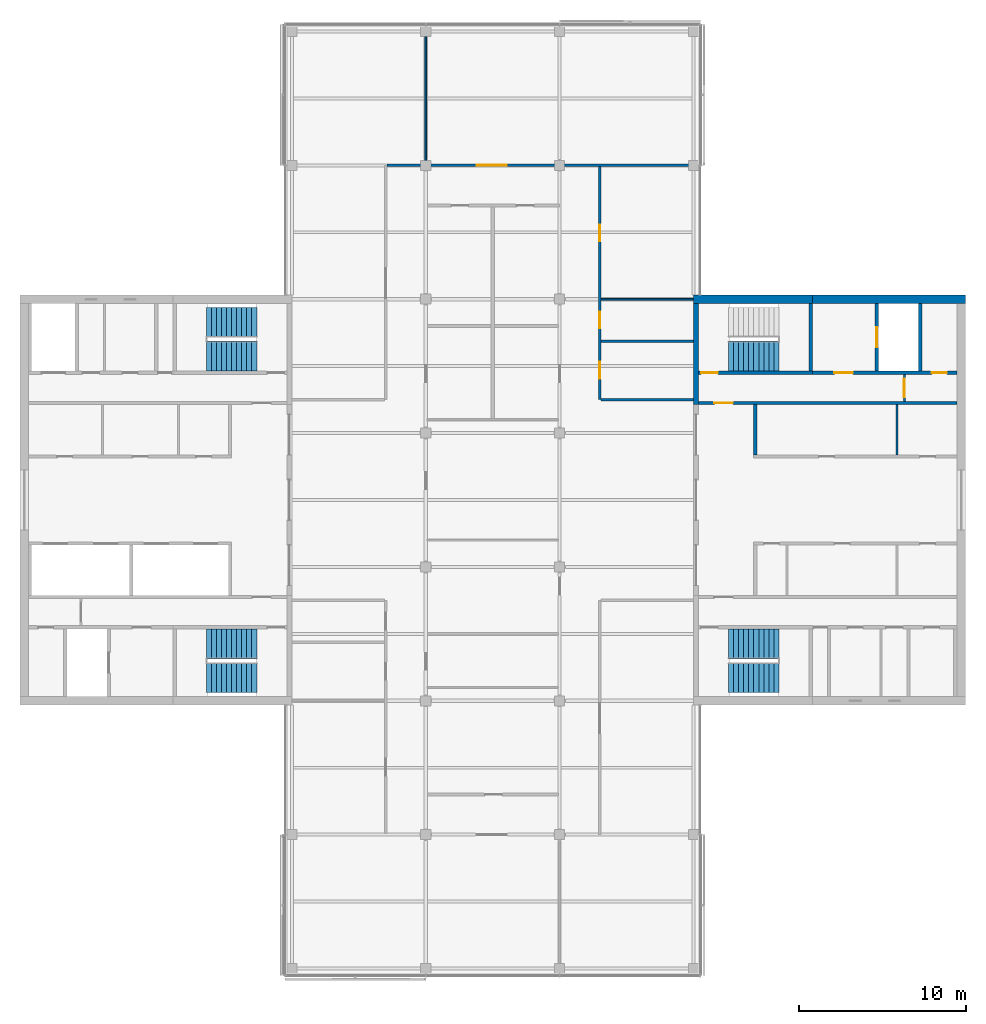
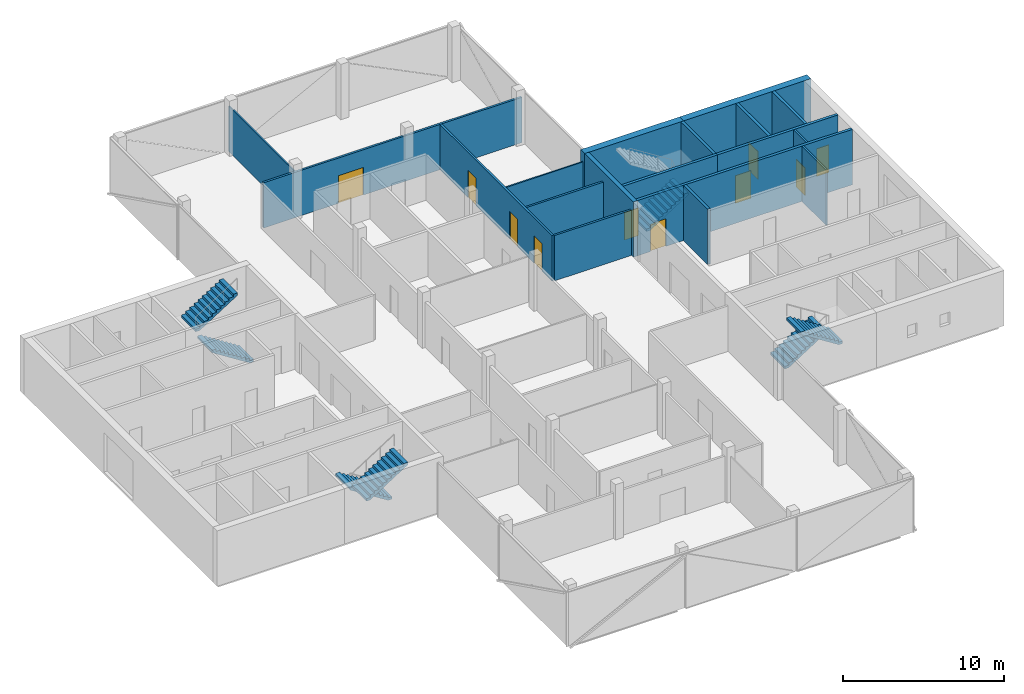
# One storey, part 12 of 16: 18 walls, 10 doors, 7 stair flights, 10 openings, 4 elements without a shape of their own.
"""IFC4 building model written with IfcOpenShell, lengths in metres."""

from ifc_helpers import new_model, si_unit, direction, frame, frame_2d, origin, place, context, subcontext, project, spatial, polyline, rectangle, outline, extrude, material, layer, layer_set, constituent, constituent_set, type_object, element, fill, aggregate, save


model = new_model("IFC4")

# Units and contexts
model_context = context("Model", 3, precision=1e-05, world=origin(), true_north=direction((0.0, 1.0)))
body_context = subcontext(model_context, "Body", "Model", "MODEL_VIEW")
ifc_project = project(units=[si_unit("LENGTHUNIT", "METRE"), si_unit("AREAUNIT", "SQUARE_METRE"), si_unit("VOLUMEUNIT", "CUBIC_METRE"), si_unit("PLANEANGLEUNIT", "RADIAN"), si_unit("MASSUNIT", "GRAM", prefix="KILO")], contexts=[model_context])

# Site, building, storey
site_placement = place(None, origin())
site = spatial("IfcSite", under=ifc_project, at=site_placement, CompositionType="ELEMENT")
building_placement = place(site_placement, origin())
building = spatial("IfcBuilding", under=site, at=building_placement, Name="Crosswind Convention Tower", CompositionType="ELEMENT")
storey_placement = place(building_placement, frame((0.0, 0.0, 295.5)))
storey = spatial("IfcBuildingStorey", under=building, at=storey_placement, Name="L64", CompositionType="ELEMENT", Elevation=295.5)

# Walls
ifc_material_1 = material(Name="Concrete C50/60", Category="concrete")
ifc_layer_1 = layer(ifc_material_1, 0.300048828125)
ifc_layer_set_1 = layer_set([ifc_layer_1], Name="Concrete C50/60")
wall_type_1 = type_object("IfcWallType", Name="Concrete inner core wall 300", PredefinedType="SHEAR", material=ifc_layer_set_1)
wall_1_placement = place(storey_placement, frame((137.14990234375, 105.699951171875, 0.0), z_axis=(0.0, 0.0, 1.0), x_axis=(0.0, 1.0, 0.0)))
element("IfcWall", 1, at=wall_1_placement, inside=storey, type_object=wall_type_1, Name="Wall EP E L64", PredefinedType="SHEAR", context=body_context, shape_type="SweptSolid", body=[
    extrude(rectangle(XDim=6.050048828125, YDim=0.300048828125, at=frame_2d((3.02490234375, 0.0))), origin(), (0.0, 0.0, 1.0), 4.199951171875),
])
ifc_layer_2 = layer(ifc_material_1, 0.199951171875)
ifc_layer_set_2 = layer_set([ifc_layer_2], Name="Concrete C50/60")
wall_type_2 = type_object("IfcWallType", Name="Concrete shaft and stair wall 200", PredefinedType="SHEAR", material=ifc_layer_set_2)
wall_2_placement = place(storey_placement, frame((140.699951171875, 102.699951171875, 0.0), z_axis=(0.0, 0.0, 1.0), x_axis=(0.0, 1.0, 0.0)))
element("IfcWall", 2, at=wall_2_placement, inside=storey, type_object=wall_type_2, Name="Wall RPEND E L64", PredefinedType="SHEAR", context=body_context, shape_type="SweptSolid", body=[
    extrude(rectangle(XDim=3.0, YDim=0.199951171875, at=frame_2d((1.5, 0.0))), origin(), (0.0, 0.0, 1.0), 4.199951171875),
])

# Wall, opening, door
wall_3_placement = place(storey_placement, frame((137.300048828125, 105.800048828125, 0.0), z_axis=(0.0, 0.0, 1.0), x_axis=(1.0, 0.0, 0.0)))
wall_3 = element("IfcWall", 3, at=wall_3_placement, inside=storey, type_object=wall_type_2, Name="Wall HP E L64", PredefinedType="SHEAR", context=body_context, shape_type="SweptSolid", body=[
    extrude(rectangle(XDim=15.449951171875, YDim=0.199951171875, at=frame_2d((7.72509765625, 0.0))), origin(), (0.0, 0.0, 1.0), 4.199951171875),
])
opening_1_placement = place(wall_3_placement, frame((0.949951171875, 0.0, 0.0)))
opening_1 = element("IfcOpeningElement", 4, at=opening_1_placement, cuts=wall_3, Name="Opening D104", PredefinedType="OPENING", context=body_context, shape_type="SweptSolid", body=[
    extrude(rectangle(XDim=1.10009765625, YDim=2.10009765625, at=frame_2d((0.550048828125, 1.050048828125))), frame((0.0, 0.10986328125, 0.0), z_axis=(0.0, -1.0, 0.0), x_axis=(1.0, 0.0, 0.0)), (0.0, 0.0, 1.0), 0.219970703125),
])
ifc_material_2 = material(Name="Steel fire door", Category="steel")
door_type_1 = type_object("IfcDoorType", Name="Fire-rated single door 1100x2100", OperationType="NOTDEFINED", PredefinedType="DOOR", material=ifc_material_2)
door_1_placement = place(opening_1_placement, origin())
door_1 = element("IfcDoor", 5, at=door_1_placement, inside=storey, type_object=door_type_1, Name="Corridor door L64", ObjectType="D104", OperationType="SINGLE_SWING_LEFT", OverallHeight=2.10009765625, OverallWidth=1.10009765625, PredefinedType="DOOR", context=body_context, shape_type="SweptSolid", body=[
    extrude(rectangle(XDim=1.10009765625, YDim=2.10009765625, at=frame_2d((0.550048828125, 1.050048828125))), frame((0.0, 0.02490234375, 0.0), z_axis=(0.0, -1.0, 0.0), x_axis=(1.0, 0.0, 0.0)), (0.0, 0.0, 1.0), 0.050048828125),
])
fill(opening_1, door_1)

# Wall
wall_4_placement = place(storey_placement, frame((144.0, 107.699951171875, 0.0), z_axis=(0.0, 0.0, 1.0), x_axis=(0.0, 1.0, 0.0)))
element("IfcWall", 6, at=wall_4_placement, inside=storey, type_object=wall_type_2, Name="Wall PSE E L64", PredefinedType="SHEAR", context=body_context, shape_type="SweptSolid", body=[
    extrude(rectangle(XDim=4.050048828125, YDim=0.199951171875, at=frame_2d((2.02490234375, 0.0))), origin(), (0.0, 0.0, 1.0), 4.199951171875),
])

# Wall, opening, door
wall_5_placement = place(storey_placement, frame((147.949951171875, 107.699951171875, 0.0), z_axis=(0.0, 0.0, 1.0), x_axis=(0.0, 1.0, 0.0)))
wall_5 = element("IfcWall", 7, at=wall_5_placement, inside=storey, type_object=wall_type_2, Name="Wall PFLW E L64", PredefinedType="SHEAR", context=body_context, shape_type="SweptSolid", body=[
    extrude(rectangle(XDim=4.050048828125, YDim=0.199951171875, at=frame_2d((2.02490234375, 0.0))), origin(), (0.0, 0.0, 1.0), 4.199951171875),
])
opening_2_placement = place(wall_5_placement, frame((1.425048828125, 0.0, 0.0)))
opening_2 = element("IfcOpeningElement", 8, at=opening_2_placement, cuts=wall_5, Name="Opening LD1", PredefinedType="OPENING", context=body_context, shape_type="SweptSolid", body=[
    extrude(rectangle(XDim=1.199951171875, YDim=2.10009765625, at=frame_2d((0.60009765625, 1.050048828125))), frame((0.0, 0.10986328125, 0.0), z_axis=(0.0, -1.0, 0.0), x_axis=(1.0, 0.0, 0.0)), (0.0, 0.0, 1.0), 0.219970703125),
])
ifc_material_3 = material(Name="Stainless steel", Category="steel")
door_type_2 = type_object("IfcDoorType", Name="Lift landing door 1200x2100", OperationType="DOUBLE_DOOR_SLIDING", PredefinedType="DOOR", material=ifc_material_3)
door_2_placement = place(opening_2_placement, origin())
door_2 = element("IfcDoor", 9, at=door_2_placement, inside=storey, type_object=door_type_2, Name="Landing door FF1 L64", ObjectType="LD1", OperationType="DOUBLE_DOOR_SLIDING", OverallHeight=2.10009765625, OverallWidth=1.199951171875, PredefinedType="DOOR", context=body_context, shape_type="SweptSolid", body=[
    extrude(rectangle(XDim=1.199951171875, YDim=2.10009765625, at=frame_2d((0.60009765625, 1.050048828125))), frame((0.0, 0.02490234375, 0.0), z_axis=(0.0, -1.0, 0.0), x_axis=(1.0, 0.0, 0.0)), (0.0, 0.0, 1.0), 0.050048828125),
])
fill(opening_2, door_2)

# Wall
wall_6_placement = place(storey_placement, frame((150.550048828125, 107.699951171875, 0.0), z_axis=(0.0, 0.0, 1.0), x_axis=(0.0, 1.0, 0.0)))
element("IfcWall", 10, at=wall_6_placement, inside=storey, type_object=wall_type_2, Name="Wall PFSE E L64", PredefinedType="SHEAR", context=body_context, shape_type="SweptSolid", body=[
    extrude(rectangle(XDim=4.050048828125, YDim=0.199951171875, at=frame_2d((2.02490234375, 0.0))), origin(), (0.0, 0.0, 1.0), 4.199951171875),
])

# Wall, opening, door
wall_7_placement = place(storey_placement, frame((137.300048828125, 107.60009765625, 0.0), z_axis=(0.0, 0.0, 1.0), x_axis=(1.0, 0.0, 0.0)))
wall_7 = element("IfcWall", 11, at=wall_7_placement, inside=storey, type_object=wall_type_2, Name="Wall PCW E L64", PredefinedType="SHEAR", context=body_context, shape_type="SweptSolid", body=[
    extrude(rectangle(XDim=6.800048828125, YDim=0.199951171875, at=frame_2d((3.39990234375, 0.0))), origin(), (0.0, 0.0, 1.0), 4.199951171875),
])
opening_3_placement = place(wall_7_placement, frame((0.14990234375, 0.0, 0.0)))
opening_3 = element("IfcOpeningElement", 12, at=opening_3_placement, cuts=wall_7, Name="Opening D103", PredefinedType="OPENING", context=body_context, shape_type="SweptSolid", body=[
    extrude(rectangle(XDim=1.0, YDim=2.10009765625, at=frame_2d((0.5, 1.050048828125))), frame((0.0, 0.10986328125, 0.0), z_axis=(0.0, -1.0, 0.0), x_axis=(1.0, 0.0, 0.0)), (0.0, 0.0, 1.0), 0.219970703125),
])
door_type_3 = type_object("IfcDoorType", Name="Fire-rated single door 1000x2100", OperationType="NOTDEFINED", PredefinedType="DOOR", material=ifc_material_2)
door_3_placement = place(opening_3_placement, origin())
door_3 = element("IfcDoor", 13, at=door_3_placement, inside=storey, type_object=door_type_3, Name="Stair ST1 door L64", ObjectType="D103", OperationType="SINGLE_SWING_LEFT", OverallHeight=2.10009765625, OverallWidth=1.0, PredefinedType="DOOR", context=body_context, shape_type="SweptSolid", body=[
    extrude(rectangle(XDim=1.0, YDim=2.10009765625, at=frame_2d((0.5, 1.050048828125))), frame((0.0, 0.02490234375, 0.0), z_axis=(0.0, -1.0, 0.0), x_axis=(1.0, 0.0, 0.0)), (0.0, 0.0, 1.0), 0.050048828125),
])
fill(opening_3, door_3)

# Wall, openings, doors
wall_8_placement = place(storey_placement, frame((144.10009765625, 107.60009765625, 0.0), z_axis=(0.0, 0.0, 1.0), x_axis=(1.0, 0.0, 0.0)))
wall_8 = element("IfcWall", 14, at=wall_8_placement, inside=storey, type_object=wall_type_2, Name="Wall PCX E L64", PredefinedType="SHEAR", context=body_context, shape_type="SweptSolid", body=[
    extrude(rectangle(XDim=8.64990234375, YDim=0.199951171875, at=frame_2d((4.324951171875, 0.0))), origin(), (0.0, 0.0, 1.0), 4.199951171875),
])
opening_4_placement = place(wall_8_placement, frame((1.324951171875, 0.0, 0.0)))
opening_4 = element("IfcOpeningElement", 15, at=opening_4_placement, cuts=wall_8, Name="Opening D104", PredefinedType="OPENING", context=body_context, shape_type="SweptSolid", body=[
    extrude(rectangle(XDim=1.10009765625, YDim=2.10009765625, at=frame_2d((0.550048828125, 1.050048828125))), frame((0.0, 0.10986328125, 0.0), z_axis=(0.0, -1.0, 0.0), x_axis=(1.0, 0.0, 0.0)), (0.0, 0.0, 1.0), 0.219970703125),
])
opening_5_placement = place(wall_8_placement, frame((7.14990234375, 0.0, 0.0)))
opening_5 = element("IfcOpeningElement", 16, at=opening_5_placement, cuts=wall_8, Name="Opening D106", PredefinedType="OPENING", context=body_context, shape_type="SweptSolid", body=[
    extrude(rectangle(XDim=0.89990234375, YDim=2.10009765625, at=frame_2d((0.449951171875, 1.050048828125))), frame((0.0, 0.10986328125, 0.0), z_axis=(0.0, -1.0, 0.0), x_axis=(1.0, 0.0, 0.0)), (0.0, 0.0, 1.0), 0.219970703125),
])
door_4_placement = place(opening_4_placement, origin())
door_4 = element("IfcDoor", 17, at=door_4_placement, inside=storey, type_object=door_type_1, Name="Fire-fighting lobby FF1 door L64", ObjectType="D104", OperationType="SINGLE_SWING_RIGHT", OverallHeight=2.10009765625, OverallWidth=1.10009765625, PredefinedType="DOOR", context=body_context, shape_type="SweptSolid", body=[
    extrude(rectangle(XDim=1.10009765625, YDim=2.10009765625, at=frame_2d((0.550048828125, 1.050048828125))), frame((0.0, 0.02490234375, 0.0), z_axis=(0.0, -1.0, 0.0), x_axis=(1.0, 0.0, 0.0)), (0.0, 0.0, 1.0), 0.050048828125),
])
fill(opening_4, door_4)
ifc_material_4 = material(Name="Timber door", Category="wood")
door_type_4 = type_object("IfcDoorType", Name="Single leaf door 900x2100", OperationType="NOTDEFINED", PredefinedType="DOOR", material=ifc_material_4)
door_5_placement = place(opening_5_placement, origin())
door_5 = element("IfcDoor", 18, at=door_5_placement, inside=storey, type_object=door_type_4, Name="Door to telecoms room L64", ObjectType="D106", OperationType="SINGLE_SWING_RIGHT", OverallHeight=2.10009765625, OverallWidth=0.89990234375, PredefinedType="DOOR", context=body_context, shape_type="SweptSolid", body=[
    extrude(rectangle(XDim=0.89990234375, YDim=2.10009765625, at=frame_2d((0.449951171875, 1.050048828125))), frame((0.0, 0.02490234375, 0.0), z_axis=(0.0, -1.0, 0.0), x_axis=(1.0, 0.0, 0.0)), (0.0, 0.0, 1.0), 0.050048828125),
])
fill(opening_5, door_5)

# Wall
ifc_material_5 = material(Name="Gypsum plasterboard partition", Category="gypsum")
ifc_layer_3 = layer(ifc_material_5, 0.125)
ifc_layer_set_3 = layer_set([ifc_layer_3], Name="Drywall partition wall 125")
wall_type_3 = type_object("IfcWallType", Name="Drywall partition wall 125", PredefinedType="PARTITIONING", material=ifc_layer_set_3)
wall_9_placement = place(storey_placement, frame((149.1650390625, 102.699951171875, 0.0), z_axis=(0.0, 0.0, 1.0), x_axis=(0.0, 1.0, 0.0)))
element("IfcWall", 19, at=wall_9_placement, inside=storey, type_object=wall_type_3, Name="Wall RPP1 E L64", PredefinedType="PARTITIONING", context=body_context, shape_type="SweptSolid", body=[
    extrude(rectangle(XDim=3.0, YDim=0.125, at=frame_2d((1.5, 0.0))), origin(), (0.0, 0.0, 1.0), 4.199951171875),
])

# Wall, opening, door
wall_10_placement = place(storey_placement, frame((149.60009765625, 105.89990234375, 0.0), z_axis=(0.0, 0.0, 1.0), x_axis=(0.0, 1.0, 0.0)))
wall_10 = element("IfcWall", 20, at=wall_10_placement, inside=storey, type_object=wall_type_3, Name="Wall PXC1 E L64", PredefinedType="PARTITIONING", context=body_context, shape_type="SweptSolid", body=[
    extrude(rectangle(XDim=1.60009765625, YDim=0.125, at=frame_2d((0.800048828125, 0.0))), origin(), (0.0, 0.0, 1.0), 4.199951171875),
])
opening_6_placement = place(wall_10_placement, frame((0.25, 0.0, 0.0)))
opening_6 = element("IfcOpeningElement", 21, at=opening_6_placement, cuts=wall_10, Name="Opening D104", PredefinedType="OPENING", context=body_context, shape_type="SweptSolid", body=[
    extrude(rectangle(XDim=1.10009765625, YDim=2.10009765625, at=frame_2d((0.550048828125, 1.050048828125))), frame((0.0, 0.072509765625, 0.0), z_axis=(0.0, -1.0, 0.0), x_axis=(1.0, 0.0, 0.0)), (0.0, 0.0, 1.0), 0.14501953125),
])
door_6_placement = place(opening_6_placement, origin())
door_6 = element("IfcDoor", 22, at=door_6_placement, inside=storey, type_object=door_type_1, Name="Corridor smoke door L64", ObjectType="D104", OperationType="SINGLE_SWING_RIGHT", OverallHeight=2.10009765625, OverallWidth=1.10009765625, PredefinedType="DOOR", context=body_context, shape_type="SweptSolid", body=[
    extrude(rectangle(XDim=1.10009765625, YDim=2.10009765625, at=frame_2d((0.550048828125, 1.050048828125))), frame((0.0, 0.02490234375, 0.0), z_axis=(0.0, -1.0, 0.0), x_axis=(1.0, 0.0, 0.0)), (0.0, 0.0, 1.0), 0.050048828125),
])
fill(opening_6, door_6)

# Walls
ifc_material_6 = material(Name="Plasterboard partition", Category="gypsum")
ifc_layer_4 = layer(ifc_material_6, 0.10009765625)
ifc_layer_set_4 = layer_set([ifc_layer_4], Name="PARTITION 100 METAL STUD")
wall_type_4 = type_object("IfcWallType", Name="PARTITION 100 METAL STUD", PredefinedType="PARTITIONING", material=ifc_layer_set_4)
wall_11_placement = place(storey_placement, frame((121.0, 120.074951171875, 0.0), z_axis=(0.0, 0.0, 1.0), x_axis=(0.0, 1.0, 0.0)))
element("IfcWall", 23, at=wall_11_placement, inside=storey, type_object=wall_type_4, Name="Partition wall WT40", PredefinedType="PARTITIONING", context=body_context, shape_type="SweptSolid", body=[
    extrude(rectangle(XDim=8.14501953125, YDim=0.10009765625, at=frame_2d((4.072509765625, 0.0))), origin(), (0.0, 0.0, 1.0), 3.44287109375),
])
wall_12_placement = place(storey_placement, frame((131.47509765625, 112.0, 0.0), z_axis=(0.0, 0.0, 1.0), x_axis=(1.0, 0.0, 0.0)))
element("IfcWall", 24, at=wall_12_placement, inside=storey, type_object=wall_type_4, Name="Partition wall WT40", PredefinedType="PARTITIONING", context=body_context, shape_type="SweptSolid", body=[
    extrude(rectangle(XDim=5.52490234375, YDim=0.10009765625, at=frame_2d((2.762451171875, 0.0))), origin(), (0.0, 0.0, 1.0), 3.44287109375),
])

# Wall, openings, doors
ifc_material_7 = material(Name="Fire-board partition with mineral wool", Category="gypsum")
ifc_layer_5 = layer(ifc_material_7, 0.14990234375)
ifc_layer_set_5 = layer_set([ifc_layer_5], Name="TENANCY WALL 150 TWO-HOUR BOARD")
wall_type_5 = type_object("IfcWallType", Name="TENANCY WALL 150 TWO-HOUR BOARD", PredefinedType="PARTITIONING", material=ifc_layer_set_5)
wall_13_placement = place(storey_placement, frame((131.39990234375, 106.0, 0.0), z_axis=(0.0, 0.0, 1.0), x_axis=(0.0, 1.0, 0.0)))
wall_13 = element("IfcWall", 25, at=wall_13_placement, inside=storey, type_object=wall_type_5, Name="Tenancy wall WT41", PredefinedType="PARTITIONING", context=body_context, shape_type="SweptSolid", body=[
    extrude(rectangle(XDim=13.925048828125, YDim=0.14990234375, at=frame_2d((6.96240234375, 0.0))), origin(), (0.0, 0.0, 1.0), 3.44287109375),
])
opening_7_placement = place(wall_13_placement, frame((1.25, 0.0, 0.0)))
opening_7 = element("IfcOpeningElement", 26, at=opening_7_placement, cuts=wall_13, Name="Opening L64-50", PredefinedType="OPENING", context=body_context, shape_type="SweptSolid", body=[
    extrude(rectangle(XDim=1.0, YDim=2.10009765625, at=frame_2d((0.5, 1.050048828125))), frame((0.0, 0.0849609375, 0.0), z_axis=(0.0, -1.0, 0.0), x_axis=(1.0, 0.0, 0.0)), (0.0, 0.0, 1.0), 0.169921875),
])
opening_8_placement = place(wall_13_placement, frame((4.25, 0.0, 0.0)))
opening_8 = element("IfcOpeningElement", 27, at=opening_8_placement, cuts=wall_13, Name="Opening L64-51", PredefinedType="OPENING", context=body_context, shape_type="SweptSolid", body=[
    extrude(rectangle(XDim=1.0, YDim=2.10009765625, at=frame_2d((0.5, 1.050048828125))), frame((0.0, 0.0849609375, 0.0), z_axis=(0.0, -1.0, 0.0), x_axis=(1.0, 0.0, 0.0)), (0.0, 0.0, 1.0), 0.169921875),
])
opening_9_placement = place(wall_13_placement, frame((9.449951171875, 0.0, 0.0)))
opening_9 = element("IfcOpeningElement", 28, at=opening_9_placement, cuts=wall_13, Name="Opening L64-52", PredefinedType="OPENING", context=body_context, shape_type="SweptSolid", body=[
    extrude(rectangle(XDim=1.0, YDim=2.10009765625, at=frame_2d((0.5, 1.050048828125))), frame((0.0, 0.0849609375, 0.0), z_axis=(0.0, -1.0, 0.0), x_axis=(1.0, 0.0, 0.0)), (0.0, 0.0, 1.0), 0.169921875),
])
ifc_material_8 = material(Name="Timber fire door", Category="wood")
door_type_5 = type_object("IfcDoorType", Name="TENANCY ENTRANCE DOOR 1000X2100 FD30S", OperationType="NOTDEFINED", PredefinedType="DOOR", material=ifc_material_8)
door_7_placement = place(opening_7_placement, frame((1.0, 0.0, 0.0), z_axis=(0.0, 0.0, 1.0), x_axis=(-1.0, 0.0, 0.0)))
door_7 = element("IfcDoor", 29, at=door_7_placement, inside=storey, type_object=door_type_5, Name="Door L64-50", ObjectType="D41", OperationType="SINGLE_SWING_LEFT", OverallHeight=2.10009765625, OverallWidth=1.0, PredefinedType="DOOR", context=body_context, shape_type="SweptSolid", body=[
    extrude(rectangle(XDim=1.0, YDim=2.10009765625, at=frame_2d((0.5, 1.050048828125))), frame((0.0, 0.02490234375, 0.0), z_axis=(0.0, -1.0, 0.0), x_axis=(1.0, 0.0, 0.0)), (0.0, 0.0, 1.0), 0.050048828125),
])
fill(opening_7, door_7)
door_8_placement = place(opening_8_placement, frame((1.0, 0.0, 0.0), z_axis=(0.0, 0.0, 1.0), x_axis=(-1.0, 0.0, 0.0)))
door_8 = element("IfcDoor", 30, at=door_8_placement, inside=storey, type_object=door_type_5, Name="Door L64-51", ObjectType="D41", OperationType="SINGLE_SWING_LEFT", OverallHeight=2.10009765625, OverallWidth=1.0, PredefinedType="DOOR", context=body_context, shape_type="SweptSolid", body=[
    extrude(rectangle(XDim=1.0, YDim=2.10009765625, at=frame_2d((0.5, 1.050048828125))), frame((0.0, 0.02490234375, 0.0), z_axis=(0.0, -1.0, 0.0), x_axis=(1.0, 0.0, 0.0)), (0.0, 0.0, 1.0), 0.050048828125),
])
fill(opening_8, door_8)
door_9_placement = place(opening_9_placement, frame((1.0, 0.0, 0.0), z_axis=(0.0, 0.0, 1.0), x_axis=(-1.0, 0.0, 0.0)))
door_9 = element("IfcDoor", 31, at=door_9_placement, inside=storey, type_object=door_type_5, Name="Door L64-52", ObjectType="D41", OperationType="SINGLE_SWING_RIGHT", OverallHeight=2.10009765625, OverallWidth=1.0, PredefinedType="DOOR", context=body_context, shape_type="SweptSolid", body=[
    extrude(rectangle(XDim=1.0, YDim=2.10009765625, at=frame_2d((0.5, 1.050048828125))), frame((0.0, 0.02490234375, 0.0), z_axis=(0.0, -1.0, 0.0), x_axis=(1.0, 0.0, 0.0)), (0.0, 0.0, 1.0), 0.050048828125),
])
fill(opening_9, door_9)

# Walls
for number, where, z_axis, x_axis, name in (
    (32, (131.47509765625, 106.0, 0.0), (0.0, 0.0, 1.0), (1.0, 0.0, 0.0), "Tenancy wall WT41"),
    (33, (131.47509765625, 109.5, 0.0), (0.0, 0.0, 1.0), (1.0, 0.0, 0.0), "Tenancy wall WT41"),
):
    element("IfcWall", number, at=place(storey_placement, frame(where, z_axis=z_axis, x_axis=x_axis)), inside=storey, type_object=wall_type_5, Name=name, PredefinedType="PARTITIONING", context=body_context, shape_type="SweptSolid", body=[
        extrude(rectangle(XDim=5.52490234375, YDim=0.14990234375, at=frame_2d((2.762451171875, 0.0))), origin(), (0.0, 0.0, 1.0), 3.44287109375),
    ])

# Wall, opening, door
wall_14_placement = place(storey_placement, frame((118.675048828125, 120.0, 0.0), z_axis=(0.0, 0.0, 1.0), x_axis=(1.0, 0.0, 0.0)))
wall_14 = element("IfcWall", 34, at=wall_14_placement, inside=storey, type_object=wall_type_5, Name="Tenancy wall WT41", PredefinedType="PARTITIONING", context=body_context, shape_type="SweptSolid", body=[
    extrude(rectangle(XDim=18.544921875, YDim=0.14990234375, at=frame_2d((9.2724609375, 0.0))), origin(), (0.0, 0.0, 1.0), 3.44287109375),
])
opening_10_placement = place(wall_14_placement, frame((5.375, 0.0, 0.0)))
opening_10 = element("IfcOpeningElement", 35, at=opening_10_placement, cuts=wall_14, Name="Opening L64-58", PredefinedType="OPENING", context=body_context, shape_type="SweptSolid", body=[
    extrude(rectangle(XDim=1.800048828125, YDim=2.10009765625, at=frame_2d((0.89990234375, 1.050048828125))), frame((0.0, 0.0849609375, 0.0), z_axis=(0.0, -1.0, 0.0), x_axis=(1.0, 0.0, 0.0)), (0.0, 0.0, 1.0), 0.169921875),
])
door_type_6 = type_object("IfcDoorType", Name="TENANCY ENTRANCE DOUBLE DOOR 1800X2100 FD30S", OperationType="DOUBLE_DOOR_SINGLE_SWING", PredefinedType="DOOR", material=ifc_material_8)
door_10_placement = place(opening_10_placement, origin())
door_10 = element("IfcDoor", 36, at=door_10_placement, inside=storey, type_object=door_type_6, Name="Door L64-58", ObjectType="D42", OperationType="DOUBLE_DOOR_SINGLE_SWING", OverallHeight=2.10009765625, OverallWidth=1.800048828125, PredefinedType="DOOR", context=body_context, shape_type="SweptSolid", body=[
    extrude(rectangle(XDim=1.800048828125, YDim=2.10009765625, at=frame_2d((0.89990234375, 1.050048828125))), frame((0.0, 0.02490234375, 0.0), z_axis=(0.0, -1.0, 0.0), x_axis=(1.0, 0.0, 0.0)), (0.0, 0.0, 1.0), 0.050048828125),
])
fill(opening_10, door_10)

# Walls
ifc_material_9 = material(Name="Concrete C60/75", Category="concrete")
ifc_constituent_1 = constituent(ifc_material_9, Name="Structure")
ifc_material_10 = material(Name="Terracotta rainscreen", Category="ceramic")
ifc_constituent_2 = constituent(ifc_material_10, Name="Facing")
ifc_constituent_set = constituent_set(constituents=[ifc_constituent_1, ifc_constituent_2], Name="Concrete C60/75, Terracotta rainscreen")
wall_type_6 = type_object("IfcWallType", Name="Terracotta rainscreen on concrete core wall 500", PredefinedType="SHEAR", material=ifc_constituent_set)
wall_15_placement = place(storey_placement, frame((137.0, 112.0, 0.0), z_axis=(0.0, 0.0, 1.0), x_axis=(1.0, 0.0, 0.0)))
element("IfcWall", 37, at=wall_15_placement, inside=storey, type_object=wall_type_6, Name="Wall N1 E L64", PredefinedType="SHEAR", context=body_context, shape_type="SweptSolid", body=[
    extrude(rectangle(XDim=7.10009765625, YDim=0.5, at=frame_2d((3.550048828125, 0.0))), origin(), (0.0, 0.0, 1.0), 4.199951171875),
])
wall_16_placement = place(storey_placement, frame((144.10009765625, 112.0, 0.0), z_axis=(0.0, 0.0, 1.0), x_axis=(1.0, 0.0, 0.0)))
element("IfcWall", 38, at=wall_16_placement, inside=storey, type_object=wall_type_6, Name="Wall N2 E L64", PredefinedType="SHEAR", context=body_context, shape_type="SweptSolid", body=[
    extrude(rectangle(XDim=9.14990234375, YDim=0.5, at=frame_2d((4.574951171875, 0.0))), origin(), (0.0, 0.0, 1.0), 4.199951171875),
])

# Stair, stair flight
ifc_material_11 = material(Name="Concrete C40/50", Category="concrete")
stair_type = type_object("IfcStairType", Name="Exit stair 1800 wide, 2 flights of 11 risers", PredefinedType="HALF_TURN_STAIR", material=ifc_material_11)
stair_1_placement = place(storey_placement, origin())
stair_1 = element("IfcStair", 39, at=stair_1_placement, inside=storey, type_object=stair_type, Name="Exit stair ST1 L64", ObjectType="ST5", PredefinedType="HALF_TURN_STAIR")
stair_flight_type = type_object("IfcStairFlightType", Name="Stair flight 1800 wide, 11 risers (SF4)", PredefinedType="STRAIGHT", material=ifc_material_11)
stair_flight_1_placement = place(storey_placement, frame((139.10009765625, 108.60009765625, 0.0), z_axis=(0.0, 0.0, 1.0), x_axis=(1.0, 0.0, 0.0)))
stair_flight_1 = element("IfcStairFlight", 40, at=stair_flight_1_placement, type_object=stair_flight_type, Name="ST1 flight 1", NumberOfRisers=11, NumberOfTreads=10, PredefinedType="STRAIGHT", RiserHeight=0.190909091, TreadLength=0.3, context=body_context, shape_type="SweptSolid", body=[
    extrude(outline(polyline([(0.0, 0.0), (0.0, 0.19091796875), (0.300048828125, 0.19091796875), (0.300048828125, 0.3818359375), (0.60009765625, 0.3818359375), (0.60009765625, 0.57275390625), (0.89990234375, 0.57275390625), (0.89990234375, 0.763671875), (1.199951171875, 0.763671875), (1.199951171875, 0.95458984375), (1.5, 0.95458984375), (1.5, 1.1455078125), (1.800048828125, 1.1455078125), (1.800048828125, 1.33642578125), (2.10009765625, 1.33642578125), (2.10009765625, 1.52734375), (2.39990234375, 1.52734375), (2.39990234375, 1.71826171875), (2.699951171875, 1.71826171875), (2.699951171875, 1.9091796875), (3.0, 1.9091796875), (3.0, 2.10009765625), (3.0, 1.7314453125), (0.279296875, 0.0), (0.0, 0.0)])), frame((0.0, 0.89990234375, 0.0), z_axis=(0.0, -1.0, 0.0), x_axis=(1.0, 0.0, 0.0)), (0.0, 0.0, 1.0), 1.800048828125),
])
aggregate(stair_1, [stair_flight_1])

# Stair, stair flights
stair_2_placement = place(storey_placement, origin())
stair_2 = element("IfcStair", 41, at=stair_2_placement, inside=storey, type_object=stair_type, Name="Exit stair ST2 L64", ObjectType="ST5", PredefinedType="HALF_TURN_STAIR")
stair_flight_2_placement = place(storey_placement, frame((139.10009765625, 91.39990234375, 0.0), z_axis=(0.0, 0.0, 1.0), x_axis=(1.0, 0.0, 0.0)))
stair_flight_2 = element("IfcStairFlight", 42, at=stair_flight_2_placement, type_object=stair_flight_type, Name="ST2 flight 1", NumberOfRisers=11, NumberOfTreads=10, PredefinedType="STRAIGHT", RiserHeight=0.190909091, TreadLength=0.3, context=body_context, shape_type="SweptSolid", body=[
    extrude(outline(polyline([(0.0, 0.0), (0.0, 0.19091796875), (0.300048828125, 0.19091796875), (0.300048828125, 0.3818359375), (0.60009765625, 0.3818359375), (0.60009765625, 0.57275390625), (0.89990234375, 0.57275390625), (0.89990234375, 0.763671875), (1.199951171875, 0.763671875), (1.199951171875, 0.95458984375), (1.5, 0.95458984375), (1.5, 1.1455078125), (1.800048828125, 1.1455078125), (1.800048828125, 1.33642578125), (2.10009765625, 1.33642578125), (2.10009765625, 1.52734375), (2.39990234375, 1.52734375), (2.39990234375, 1.71826171875), (2.699951171875, 1.71826171875), (2.699951171875, 1.9091796875), (3.0, 1.9091796875), (3.0, 2.10009765625), (3.0, 1.7314453125), (0.279296875, 0.0), (0.0, 0.0)])), frame((0.0, 0.89990234375, 0.0), z_axis=(0.0, -1.0, 0.0), x_axis=(1.0, 0.0, 0.0)), (0.0, 0.0, 1.0), 1.800048828125),
])
stair_flight_3_placement = place(storey_placement, frame((142.10009765625, 89.39990234375, 2.10009765625), z_axis=(0.0, 0.0, 1.0), x_axis=(-1.0, 0.0, 0.0)))
stair_flight_3 = element("IfcStairFlight", 43, at=stair_flight_3_placement, type_object=stair_flight_type, Name="ST2 flight 2", NumberOfRisers=11, NumberOfTreads=10, PredefinedType="STRAIGHT", RiserHeight=0.190909091, TreadLength=0.3, context=body_context, shape_type="SweptSolid", body=[
    extrude(outline(polyline([(0.0, 0.0), (0.0, 0.19091796875), (0.300048828125, 0.19091796875), (0.300048828125, 0.3818359375), (0.60009765625, 0.3818359375), (0.60009765625, 0.57275390625), (0.89990234375, 0.57275390625), (0.89990234375, 0.763671875), (1.199951171875, 0.763671875), (1.199951171875, 0.95458984375), (1.5, 0.95458984375), (1.5, 1.1455078125), (1.800048828125, 1.1455078125), (1.800048828125, 1.33642578125), (2.10009765625, 1.33642578125), (2.10009765625, 1.52734375), (2.39990234375, 1.52734375), (2.39990234375, 1.71826171875), (2.699951171875, 1.71826171875), (2.699951171875, 1.9091796875), (3.0, 1.9091796875), (3.0, 2.10009765625), (3.0, 1.7314453125), (0.279296875, 0.0), (0.0, 0.0)])), frame((0.0, 0.89990234375, 0.0), z_axis=(0.0, -1.0, 0.0), x_axis=(1.0, 0.0, 0.0)), (0.0, 0.0, 1.0), 1.800048828125),
])
aggregate(stair_2, [stair_flight_2, stair_flight_3])

stair_3_placement = place(storey_placement, origin())
stair_3 = element("IfcStair", 44, at=stair_3_placement, inside=storey, type_object=stair_type, Name="Exit stair ST3 L64", ObjectType="ST5", PredefinedType="HALF_TURN_STAIR")
stair_flight_4_placement = place(storey_placement, frame((110.89990234375, 91.39990234375, 0.0), z_axis=(0.0, 0.0, 1.0), x_axis=(-1.0, 0.0, 0.0)))
stair_flight_4 = element("IfcStairFlight", 45, at=stair_flight_4_placement, type_object=stair_flight_type, Name="ST3 flight 1", NumberOfRisers=11, NumberOfTreads=10, PredefinedType="STRAIGHT", RiserHeight=0.190909091, TreadLength=0.3, context=body_context, shape_type="SweptSolid", body=[
    extrude(outline(polyline([(0.0, 0.0), (0.0, 0.19091796875), (0.300048828125, 0.19091796875), (0.300048828125, 0.3818359375), (0.60009765625, 0.3818359375), (0.60009765625, 0.57275390625), (0.89990234375, 0.57275390625), (0.89990234375, 0.763671875), (1.199951171875, 0.763671875), (1.199951171875, 0.95458984375), (1.5, 0.95458984375), (1.5, 1.1455078125), (1.800048828125, 1.1455078125), (1.800048828125, 1.33642578125), (2.10009765625, 1.33642578125), (2.10009765625, 1.52734375), (2.39990234375, 1.52734375), (2.39990234375, 1.71826171875), (2.699951171875, 1.71826171875), (2.699951171875, 1.9091796875), (3.0, 1.9091796875), (3.0, 2.10009765625), (3.0, 1.7314453125), (0.279296875, 0.0), (0.0, 0.0)])), frame((0.0, 0.89990234375, 0.0), z_axis=(0.0, -1.0, 0.0), x_axis=(1.0, 0.0, 0.0)), (0.0, 0.0, 1.0), 1.800048828125),
])
stair_flight_5_placement = place(storey_placement, frame((107.89990234375, 89.39990234375, 2.10009765625), z_axis=(0.0, 0.0, 1.0), x_axis=(1.0, 0.0, 0.0)))
stair_flight_5 = element("IfcStairFlight", 46, at=stair_flight_5_placement, type_object=stair_flight_type, Name="ST3 flight 2", NumberOfRisers=11, NumberOfTreads=10, PredefinedType="STRAIGHT", RiserHeight=0.190909091, TreadLength=0.3, context=body_context, shape_type="SweptSolid", body=[
    extrude(outline(polyline([(0.0, 0.0), (0.0, 0.19091796875), (0.300048828125, 0.19091796875), (0.300048828125, 0.3818359375), (0.60009765625, 0.3818359375), (0.60009765625, 0.57275390625), (0.89990234375, 0.57275390625), (0.89990234375, 0.763671875), (1.199951171875, 0.763671875), (1.199951171875, 0.95458984375), (1.5, 0.95458984375), (1.5, 1.1455078125), (1.800048828125, 1.1455078125), (1.800048828125, 1.33642578125), (2.10009765625, 1.33642578125), (2.10009765625, 1.52734375), (2.39990234375, 1.52734375), (2.39990234375, 1.71826171875), (2.699951171875, 1.71826171875), (2.699951171875, 1.9091796875), (3.0, 1.9091796875), (3.0, 2.10009765625), (3.0, 1.7314453125), (0.279296875, 0.0), (0.0, 0.0)])), frame((0.0, 0.89990234375, 0.0), z_axis=(0.0, -1.0, 0.0), x_axis=(1.0, 0.0, 0.0)), (0.0, 0.0, 1.0), 1.800048828125),
])
aggregate(stair_3, [stair_flight_4, stair_flight_5])

stair_4_placement = place(storey_placement, origin())
stair_4 = element("IfcStair", 47, at=stair_4_placement, inside=storey, type_object=stair_type, Name="Exit stair ST4 L64", ObjectType="ST5", PredefinedType="HALF_TURN_STAIR")
stair_flight_6_placement = place(storey_placement, frame((110.89990234375, 108.60009765625, 0.0), z_axis=(0.0, 0.0, 1.0), x_axis=(-1.0, 0.0, 0.0)))
stair_flight_6 = element("IfcStairFlight", 48, at=stair_flight_6_placement, type_object=stair_flight_type, Name="ST4 flight 1", NumberOfRisers=11, NumberOfTreads=10, PredefinedType="STRAIGHT", RiserHeight=0.190909091, TreadLength=0.3, context=body_context, shape_type="SweptSolid", body=[
    extrude(outline(polyline([(0.0, 0.0), (0.0, 0.19091796875), (0.300048828125, 0.19091796875), (0.300048828125, 0.3818359375), (0.60009765625, 0.3818359375), (0.60009765625, 0.57275390625), (0.89990234375, 0.57275390625), (0.89990234375, 0.763671875), (1.199951171875, 0.763671875), (1.199951171875, 0.95458984375), (1.5, 0.95458984375), (1.5, 1.1455078125), (1.800048828125, 1.1455078125), (1.800048828125, 1.33642578125), (2.10009765625, 1.33642578125), (2.10009765625, 1.52734375), (2.39990234375, 1.52734375), (2.39990234375, 1.71826171875), (2.699951171875, 1.71826171875), (2.699951171875, 1.9091796875), (3.0, 1.9091796875), (3.0, 2.10009765625), (3.0, 1.7314453125), (0.279296875, 0.0), (0.0, 0.0)])), frame((0.0, 0.89990234375, 0.0), z_axis=(0.0, -1.0, 0.0), x_axis=(1.0, 0.0, 0.0)), (0.0, 0.0, 1.0), 1.800048828125),
])
stair_flight_7_placement = place(storey_placement, frame((107.89990234375, 110.60009765625, 2.10009765625), z_axis=(0.0, 0.0, 1.0), x_axis=(1.0, 0.0, 0.0)))
stair_flight_7 = element("IfcStairFlight", 49, at=stair_flight_7_placement, type_object=stair_flight_type, Name="ST4 flight 2", NumberOfRisers=11, NumberOfTreads=10, PredefinedType="STRAIGHT", RiserHeight=0.190909091, TreadLength=0.3, context=body_context, shape_type="SweptSolid", body=[
    extrude(outline(polyline([(0.0, 0.0), (0.0, 0.19091796875), (0.300048828125, 0.19091796875), (0.300048828125, 0.3818359375), (0.60009765625, 0.3818359375), (0.60009765625, 0.57275390625), (0.89990234375, 0.57275390625), (0.89990234375, 0.763671875), (1.199951171875, 0.763671875), (1.199951171875, 0.95458984375), (1.5, 0.95458984375), (1.5, 1.1455078125), (1.800048828125, 1.1455078125), (1.800048828125, 1.33642578125), (2.10009765625, 1.33642578125), (2.10009765625, 1.52734375), (2.39990234375, 1.52734375), (2.39990234375, 1.71826171875), (2.699951171875, 1.71826171875), (2.699951171875, 1.9091796875), (3.0, 1.9091796875), (3.0, 2.10009765625), (3.0, 1.7314453125), (0.279296875, 0.0), (0.0, 0.0)])), frame((0.0, 0.89990234375, 0.0), z_axis=(0.0, -1.0, 0.0), x_axis=(1.0, 0.0, 0.0)), (0.0, 0.0, 1.0), 1.800048828125),
])
aggregate(stair_4, [stair_flight_6, stair_flight_7])

save(model, "model.ifc")
